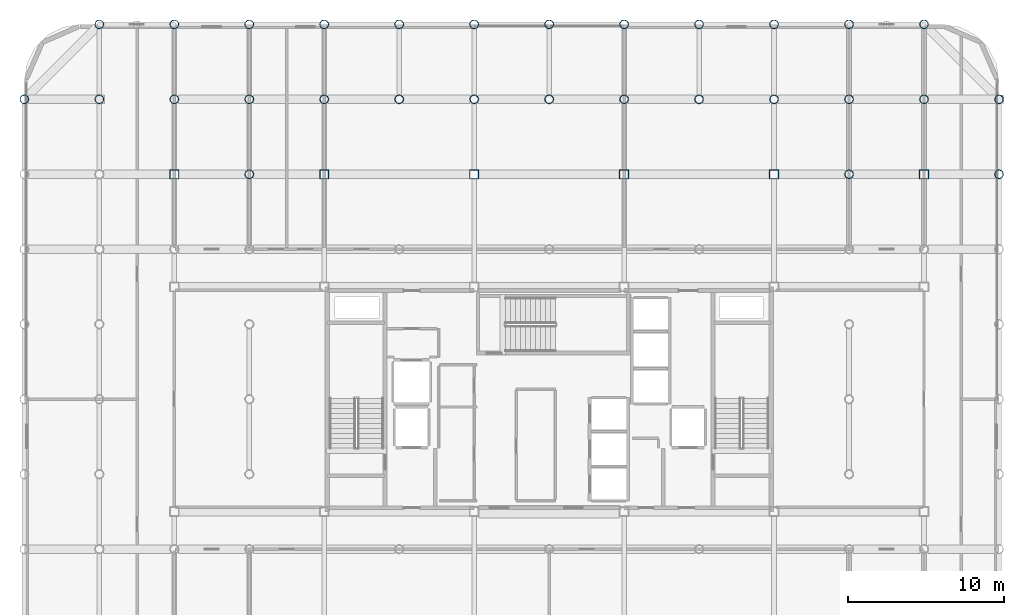
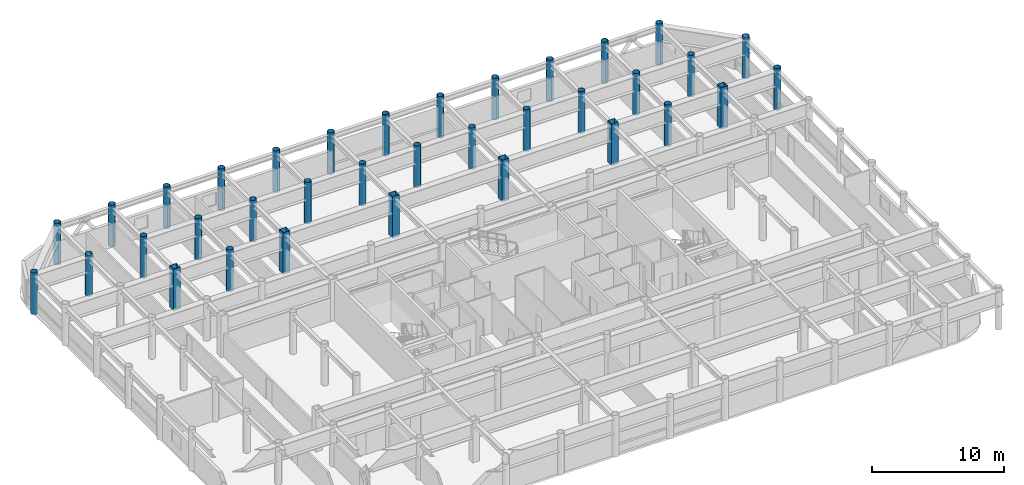
# One storey, part 2 of 21: 35 columns.
"""IFC4 building model written with IfcOpenShell, lengths in metres."""

import ifcopenshell
import ifcopenshell.guid

model = None  # the IFC model being written
_history = None  # IfcOwnerHistory: only IFC2X3 demands one
_inside = {}  # id of a spatial element -> (the spatial element, [elements in it])
_under = {}  # id of a project, library or spatial element -> (it, [spatial elements below it])
_declared = {}  # id of a project -> (the project, [libraries it declares])
_typed = {}  # id of a type object -> (the type object, [elements of that type])
_made_of = {}  # id of a material, layer set ... -> (it, [elements and type objects made of it])


def new_model(schema):
    """Start an empty IFC model of exactly this schema.

    Asked for "IFC4X3", IfcOpenShell would pick the latest addendum, in which some entities
    have other attributes; the version numbers below select the first issue.
    IFC2X3 requires an IfcOwnerHistory on every rooted entity: one is made here for all.
    """
    global model, _history
    if schema == "IFC4X3":
        model = ifcopenshell.file(schema_version=(4, 3, 0, 0))
    else:
        model = ifcopenshell.file(schema=schema)
    _inside.clear()
    _under.clear()
    _declared.clear()
    _typed.clear()
    _made_of.clear()
    _history = None
    if model.schema == "IFC2X3":
        org = make("IfcOrganization", Name="unknown")
        user = make(
            "IfcPersonAndOrganization",
            ThePerson=make("IfcPerson", FamilyName="unknown"),
            TheOrganization=org,
        )
        app = make(
            "IfcApplication",
            ApplicationDeveloper=org,
            Version="unknown",
            ApplicationFullName="unknown",
            ApplicationIdentifier="unknown",
        )
        _history = make(
            "IfcOwnerHistory",
            OwningUser=user,
            OwningApplication=app,
            ChangeAction="ADDED",
            CreationDate=0,
        )
    return model


def make(cls, **values):
    """One entity of the class cls with the attributes given. An attribute that is None is left unset."""
    return model.create_entity(
        cls, **{name: value for name, value in values.items() if value is not None}
    )


def rooted(cls, **values):
    """An entity with a GlobalId (a new one), such as an element, a storey or a relation."""
    return make(cls, GlobalId=ifcopenshell.guid.new(), OwnerHistory=_history, **values)


def si_unit(unit_type, name, prefix=None):
    """IfcSIUnit, for example si_unit("LENGTHUNIT", "METRE", prefix="MILLI")."""
    return make("IfcSIUnit", UnitType=unit_type, Prefix=prefix, Name=name)


def assignment(units):
    """IfcUnitAssignment: the units of a project."""
    return None if units is None else make("IfcUnitAssignment", Units=units)


def point(xyz):
    """IfcCartesianPoint."""
    return None if xyz is None else make("IfcCartesianPoint", Coordinates=xyz)


def direction(xyz):
    """IfcDirection."""
    return None if xyz is None else make("IfcDirection", DirectionRatios=xyz)


def frame(location, z_axis=None, x_axis=None):
    """IfcAxis2Placement3D, a coordinate frame: its origin and axes. An axis left out is left unset."""
    return make(
        "IfcAxis2Placement3D",
        Location=point(location),
        Axis=direction(z_axis),
        RefDirection=direction(x_axis),
    )


def frame_2d(location, x_axis=None):
    """IfcAxis2Placement2D, a coordinate frame in the plane: its origin and x axis."""
    return make(
        "IfcAxis2Placement2D", Location=point(location), RefDirection=direction(x_axis)
    )


def origin():
    """The frame at (0, 0, 0) with its axes left unset."""
    return frame((0.0, 0.0, 0.0))


def origin_2d():
    """The frame at (0, 0) in the plane with its x axis left unset."""
    return frame_2d((0.0, 0.0))


def place(relative_to, where):
    """IfcLocalPlacement: puts the frame where relative to a parent placement (None: the world)."""
    return make(
        "IfcLocalPlacement", PlacementRelTo=relative_to, RelativePlacement=where
    )


def context(
    kind, dimensions, precision=None, world=None, true_north=None, identifier=None
):
    """IfcGeometricRepresentationContext, for example the 3D "Model" context."""
    return make(
        "IfcGeometricRepresentationContext",
        ContextIdentifier=identifier,
        ContextType=kind,
        CoordinateSpaceDimension=dimensions,
        Precision=precision,
        WorldCoordinateSystem=world,
        TrueNorth=true_north,
    )


def subcontext(parent, identifier, kind, view, scale=None):
    """IfcGeometricRepresentationSubContext, for example "Body" below "Model"."""
    return make(
        "IfcGeometricRepresentationSubContext",
        ContextIdentifier=identifier,
        ContextType=kind,
        ParentContext=parent,
        TargetScale=scale,
        TargetView=view,
    )


def project(units=None, contexts=None):
    """IfcProject with its units and contexts."""
    return rooted(
        "IfcProject",
        Name="project",
        RepresentationContexts=contexts,
        UnitsInContext=assignment(units),
    )


def spatial(cls, under=None, at=None, **own):
    """A site, building, storey or space (cls), placed at a placement, below another one or the project."""
    s = rooted(cls, ObjectPlacement=at, **own)
    if under is not None:
        _under.setdefault(under.id(), (under, []))[1].append(s)
    return s


def profile(cls, at=None, kind="AREA", **sizes):
    """A parametric profile (cls). Its sizes go by their IFC names, for example OverallWidth=200.0."""
    return make(cls, ProfileType=kind, Position=at, **sizes)


def hollow_rectangle(**sizes):
    """IfcRectangleHollowProfileDef."""
    return profile("IfcRectangleHollowProfileDef", **sizes)


def hollow_circle(**sizes):
    """IfcCircleHollowProfileDef."""
    return profile("IfcCircleHollowProfileDef", **sizes)


def extrude(swept, where, along, depth):
    """IfcExtrudedAreaSolid: the profile swept, set in the frame where, extruded along a direction by depth."""
    return make(
        "IfcExtrudedAreaSolid",
        SweptArea=swept,
        Position=where,
        ExtrudedDirection=direction(along),
        Depth=depth,
    )


def shape(context_of_items, identifier, shape_type, items):
    """IfcShapeRepresentation: the items that make up one representation, for example the "Body"."""
    return make(
        "IfcShapeRepresentation",
        ContextOfItems=context_of_items,
        RepresentationIdentifier=identifier,
        RepresentationType=shape_type,
        Items=items,
    )


def material(Name=None, Category=None):
    """IfcMaterial."""
    return make("IfcMaterial", Name=Name, Category=Category)


def material_profile(
    of_material, cross_section, Name=None, Category=None, Priority=None
):
    """IfcMaterialProfile: a cross section and its material."""
    return make(
        "IfcMaterialProfile",
        Name=Name,
        Material=of_material,
        Profile=cross_section,
        Priority=Priority,
        Category=Category,
    )


def profile_set(profiles, Name=None, composite=None):
    """IfcMaterialProfileSet."""
    return make(
        "IfcMaterialProfileSet",
        Name=Name,
        MaterialProfiles=profiles,
        CompositeProfile=composite,
    )


def made_of(thing, what):
    """Note that an element or type object is made of a material, layer set ...; save() writes the relation."""
    if what is not None:
        _made_of.setdefault(what.id(), (what, []))[1].append(thing)
    return thing


def type_object(cls, material=None, **own):
    """A type object (cls), such as IfcWallType, which elements share."""
    return made_of(rooted(cls, **own), material)


def element(
    cls,
    number,
    at=None,
    inside=None,
    cuts=None,
    type_object=None,
    material=None,
    context=None,
    identifier="Body",
    shape_type=None,
    held_by="IfcProductDefinitionShape",
    body=None,
    shapes=None,
    **own,
):
    """One element of the class cls, such as IfcWall. Its Tag is "e" and its number.

    at: its placement. inside: the storey or other place that contains it. cuts: it is an
    opening in that element (IfcRelVoidsElement). A single representation is given by context,
    identifier, shape_type and body (its items); several are given by shapes. held_by: the class
    of the entity that holds the representations. save() writes the other relations.
    """
    e = rooted(cls, Tag="e%d" % number, ObjectPlacement=at, **own)
    if body is not None:
        shapes = [shape(context, identifier, shape_type, body)]
    if shapes is not None:
        e.Representation = make(held_by, Representations=shapes)
    if inside is not None:
        _inside.setdefault(inside.id(), (inside, []))[1].append(e)
    if cuts is not None:
        rooted(
            "IfcRelVoidsElement", RelatingBuildingElement=cuts, RelatedOpeningElement=e
        )
    if type_object is not None:
        _typed.setdefault(type_object.id(), (type_object, []))[1].append(e)
    return made_of(e, material)


def aggregate(whole, parts):
    """IfcRelAggregates: a whole, such as a stair, and the parts it consists of."""
    return rooted("IfcRelAggregates", RelatingObject=whole, RelatedObjects=parts)


def save(model, path):
    """Write the relations noted so far, then the file.

    IfcRelAggregates (storeys below a building ...), IfcRelContainedInSpatialStructure (elements
    in a storey), IfcRelDefinesByType, IfcRelAssociatesMaterial and IfcRelDeclares: one each for
    every whole, place, type object, material and project.
    """
    for whole, parts in _under.values():
        aggregate(whole, parts)
    for where, things in _inside.values():
        rooted(
            "IfcRelContainedInSpatialStructure",
            RelatedElements=things,
            RelatingStructure=where,
        )
    for kind, things in _typed.values():
        rooted("IfcRelDefinesByType", RelatedObjects=things, RelatingType=kind)
    for what, things in _made_of.values():
        rooted("IfcRelAssociatesMaterial", RelatedObjects=things, RelatingMaterial=what)
    for by, libraries in _declared.values():
        rooted("IfcRelDeclares", RelatingContext=by, RelatedDefinitions=libraries)
    model.write(path)


model = new_model("IFC4")

# Units and contexts
model_context = context("Model", 3, precision=1e-05, world=origin(), true_north=direction((0.0, 1.0)))
body_context = subcontext(model_context, "Body", "Model", "MODEL_VIEW")
ifc_project = project(units=[si_unit("LENGTHUNIT", "METRE"), si_unit("AREAUNIT", "SQUARE_METRE"), si_unit("VOLUMEUNIT", "CUBIC_METRE"), si_unit("PLANEANGLEUNIT", "RADIAN"), si_unit("MASSUNIT", "GRAM", prefix="KILO")], contexts=[model_context])

# Site, building, storey
site_placement = place(None, origin())
site = spatial("IfcSite", under=ifc_project, at=site_placement, CompositionType="ELEMENT")
building_placement = place(site_placement, origin())
building = spatial("IfcBuilding", under=site, at=building_placement, Name="Kallvorn Hotel Tower", CompositionType="ELEMENT")
storey_placement = place(building_placement, frame((0.0, 0.0, 272.35009765625)))
storey = spatial("IfcBuildingStorey", under=building, at=storey_placement, Name="L68", CompositionType="ELEMENT", Elevation=272.35009765625)

# Columns
ifc_material_1 = material(Name="Structural steel S355J2H", Category="steel")
ifc_material_profile_1 = material_profile(ifc_material_1, hollow_circle(Radius=0.279541015625, WallThickness=0.02490234375, at=origin_2d()), Name="CHS 559x25")
ifc_profile_set_1 = profile_set([ifc_material_profile_1], Name="Structural steel S355J2H")
column_type_1 = type_object("IfcColumnType", Name="COL_CHS_559", PredefinedType="COLUMN", material=ifc_profile_set_1)
for number, where, z_axis, x_axis, name in (
    (1, (-33.60009765625, 19.199951171875, 0.0), (0.0, 0.0, 1.0), (1.0, 0.0, 0.0), "L68 Exoskeleton Column EC08"),
    (2, (-28.800048828125, 19.199951171875, 0.0), (0.0, 0.0, 1.0), (1.0, 0.0, 0.0), "L68 Exoskeleton Column EC17"),
    (3, (-28.800048828125, 24.0, 0.0), (0.0, 0.0, 1.0), (1.0, 0.0, 0.0), "L68 Exoskeleton Column EC18"),
    (4, (-24.0, 19.199951171875, 0.0), (0.0, 0.0, 1.0), (1.0, 0.0, 0.0), "L68 Exoskeleton Column EC22"),
    (5, (-24.0, 24.0, 0.0), (0.0, 0.0, 1.0), (1.0, 0.0, 0.0), "L68 Exoskeleton Column EC23"),
    (6, (-19.199951171875, 14.39990234375, 0.0), (0.0, 0.0, 1.0), (1.0, 0.0, 0.0), "L68 Exoskeleton Column EC31"),
    (7, (-19.199951171875, 19.199951171875, 0.0), (0.0, 0.0, 1.0), (1.0, 0.0, 0.0), "L68 Exoskeleton Column EC32"),
    (8, (-19.199951171875, 24.0, 0.0), (0.0, 0.0, 1.0), (1.0, 0.0, 0.0), "L68 Exoskeleton Column EC33"),
    (9, (-14.39990234375, 19.199951171875, 0.0), (0.0, 0.0, 1.0), (1.0, 0.0, 0.0), "L68 Exoskeleton Column EC35"),
    (10, (-14.39990234375, 24.0, 0.0), (0.0, 0.0, 1.0), (1.0, 0.0, 0.0), "L68 Exoskeleton Column EC36"),
    (11, (-9.60009765625, 19.199951171875, 0.0), (0.0, 0.0, 1.0), (1.0, 0.0, 0.0), "L68 Exoskeleton Column EC40"),
    (12, (-9.60009765625, 24.0, 0.0), (0.0, 0.0, 1.0), (1.0, 0.0, 0.0), "L68 Exoskeleton Column EC41"),
    (13, (-4.800048828125, 19.199951171875, 0.0), (0.0, 0.0, 1.0), (1.0, 0.0, 0.0), "L68 Exoskeleton Column EC43"),
    (14, (-4.800048828125, 24.0, 0.0), (0.0, 0.0, 1.0), (1.0, 0.0, 0.0), "L68 Exoskeleton Column EC44"),
    (15, (0.0, 19.199951171875, 0.0), (0.0, 0.0, 1.0), (1.0, 0.0, 0.0), "L68 Exoskeleton Column EC48"),
    (16, (0.0, 24.0, 0.0), (0.0, 0.0, 1.0), (1.0, 0.0, 0.0), "L68 Exoskeleton Column EC49"),
    (17, (4.800048828125, 19.199951171875, 0.0), (0.0, 0.0, 1.0), (1.0, 0.0, 0.0), "L68 Exoskeleton Column EC51"),
    (18, (4.800048828125, 24.0, 0.0), (0.0, 0.0, 1.0), (1.0, 0.0, 0.0), "L68 Exoskeleton Column EC52"),
    (19, (9.60009765625, 19.199951171875, 0.0), (0.0, 0.0, 1.0), (1.0, 0.0, 0.0), "L68 Exoskeleton Column EC56"),
    (20, (9.60009765625, 24.0, 0.0), (0.0, 0.0, 1.0), (1.0, 0.0, 0.0), "L68 Exoskeleton Column EC57"),
    (21, (14.39990234375, 19.199951171875, 0.0), (0.0, 0.0, 1.0), (1.0, 0.0, 0.0), "L68 Exoskeleton Column EC59"),
    (22, (14.39990234375, 24.0, 0.0), (0.0, 0.0, 1.0), (1.0, 0.0, 0.0), "L68 Exoskeleton Column EC60"),
    (23, (19.199951171875, 14.39990234375, 0.0), (0.0, 0.0, 1.0), (1.0, 0.0, 0.0), "L68 Exoskeleton Column EC68"),
    (24, (19.199951171875, 19.199951171875, 0.0), (0.0, 0.0, 1.0), (1.0, 0.0, 0.0), "L68 Exoskeleton Column EC69"),
    (25, (19.199951171875, 24.0, 0.0), (0.0, 0.0, 1.0), (1.0, 0.0, 0.0), "L68 Exoskeleton Column EC70"),
    (26, (24.0, 19.199951171875, 0.0), (0.0, 0.0, 1.0), (1.0, 0.0, 0.0), "L68 Exoskeleton Column EC74"),
    (27, (24.0, 24.0, 0.0), (0.0, 0.0, 1.0), (1.0, 0.0, 0.0), "L68 Exoskeleton Column EC75"),
    (28, (28.800048828125, 14.39990234375, 0.0), (0.0, 0.0, 1.0), (1.0, 0.0, 0.0), "L68 Exoskeleton Column EC83"),
    (29, (28.800048828125, 19.199951171875, 0.0), (0.0, 0.0, 1.0), (1.0, 0.0, 0.0), "L68 Exoskeleton Column EC84"),
):
    element("IfcColumn", number, at=place(storey_placement, frame(where, z_axis=z_axis, x_axis=x_axis)), inside=storey, type_object=column_type_1, Name=name, PredefinedType="COLUMN", context=body_context, shape_type="SweptSolid", body=[
        extrude(hollow_circle(Radius=0.279541015625, WallThickness=0.02490234375, at=origin_2d()), origin(), (0.0, 0.0, 1.0), 3.849853515625),
    ])
ifc_material_2 = material(Name="Structural steel S355J2H", Category="steel")
ifc_material_profile_2 = material_profile(ifc_material_2, hollow_rectangle(XDim=0.60009765625, YDim=0.60009765625, WallThickness=0.028076171875, at=origin_2d()), Name="RHS 600x600x28")
ifc_profile_set_2 = profile_set([ifc_material_profile_2], Name="Structural steel S355J2H")
column_type_2 = type_object("IfcColumnType", Name="COL_RHS_600", PredefinedType="COLUMN", material=ifc_profile_set_2)
for number, where, z_axis, x_axis, name in (
    (30, (-24.0, 14.39990234375, 0.0), (0.0, 0.0, 1.0), (1.0, 0.0, 0.0), "L68 Inner Column IC04"),
    (31, (-14.39990234375, 14.39990234375, 0.0), (0.0, 0.0, 1.0), (1.0, 0.0, 0.0), "L68 Inner Column IC08"),
    (32, (-4.800048828125, 14.39990234375, 0.0), (0.0, 0.0, 1.0), (1.0, 0.0, 0.0), "L68 Inner Column IC12"),
    (33, (4.800048828125, 14.39990234375, 0.0), (0.0, 0.0, 1.0), (1.0, 0.0, 0.0), "L68 Inner Column IC16"),
    (34, (14.39990234375, 14.39990234375, 0.0), (0.0, 0.0, 1.0), (1.0, 0.0, 0.0), "L68 Inner Column IC20"),
    (35, (24.0, 14.39990234375, 0.0), (0.0, 0.0, 1.0), (1.0, 0.0, 0.0), "L68 Inner Column IC24"),
):
    element("IfcColumn", number, at=place(storey_placement, frame(where, z_axis=z_axis, x_axis=x_axis)), inside=storey, type_object=column_type_2, Name=name, PredefinedType="COLUMN", context=body_context, shape_type="SweptSolid", body=[
        extrude(hollow_rectangle(XDim=0.60009765625, YDim=0.60009765625, WallThickness=0.028076171875, at=origin_2d()), origin(), (0.0, 0.0, 1.0), 3.849853515625),
    ])

save(model, "model.ifc")
